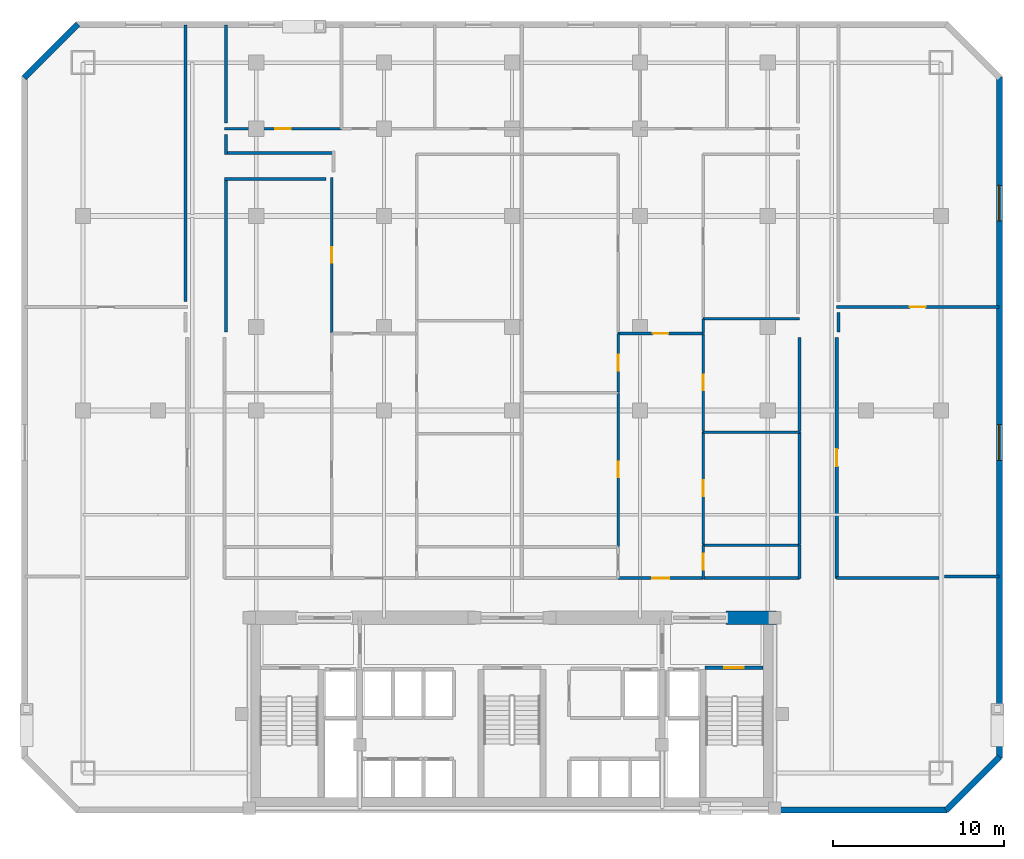
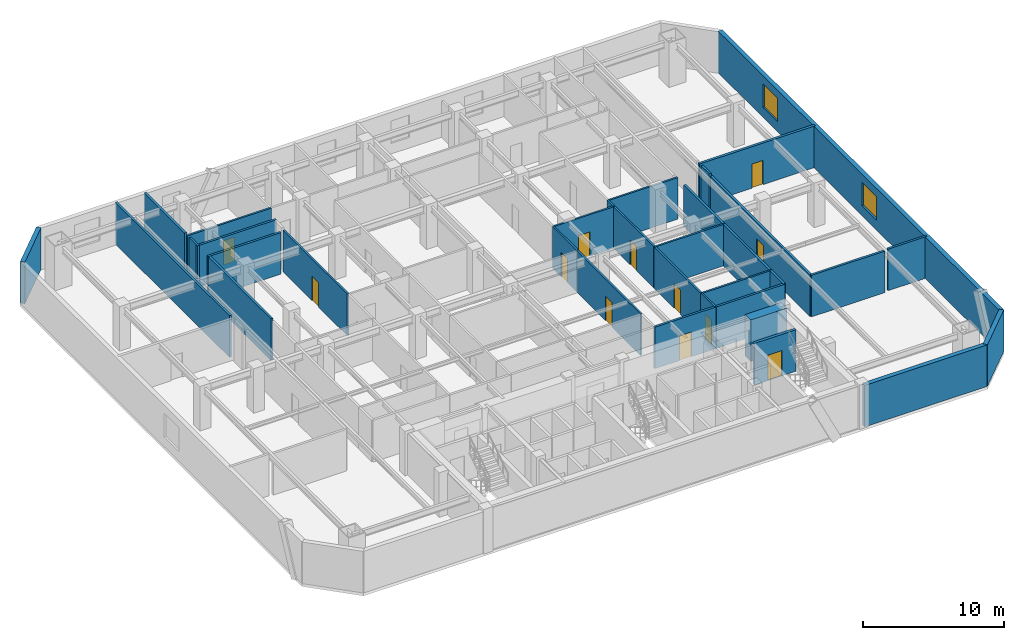
# One storey, part 5 of 8: 34 walls, 12 doors, 2 windows, 14 openings.
"""IFC4 building model written with IfcOpenShell, lengths in metres."""

from ifc_helpers import new_model, si_unit, direction, frame, frame_2d, origin, place, context, subcontext, project, spatial, rectangle, extrude, material, layer, layer_set, type_object, element, fill, save


model = new_model("IFC4")

# Units and contexts
model_context = context("Model", 3, precision=1e-05, world=origin(), true_north=direction((0.0, 1.0)))
body_context = subcontext(model_context, "Body", "Model", "MODEL_VIEW")
ifc_project = project(units=[si_unit("LENGTHUNIT", "METRE"), si_unit("AREAUNIT", "SQUARE_METRE"), si_unit("VOLUMEUNIT", "CUBIC_METRE"), si_unit("PLANEANGLEUNIT", "RADIAN"), si_unit("MASSUNIT", "GRAM", prefix="KILO")], contexts=[model_context])

# Site, building, storey
site_placement = place(None, origin())
site = spatial("IfcSite", under=ifc_project, at=site_placement, CompositionType="ELEMENT")
building_placement = place(site_placement, origin())
building = spatial("IfcBuilding", under=site, at=building_placement, Name="Ventersveld Concourse Tower", CompositionType="ELEMENT")
storey_placement = place(building_placement, frame((0.0, 0.0, 33.64990234375)))
storey = spatial("IfcBuildingStorey", under=building, at=storey_placement, Name="L07", CompositionType="ELEMENT", Elevation=33.64990234375)

# Wall
ifc_material_1 = material(Name="Concrete C60/75", Category="concrete")
ifc_layer_1 = layer(ifc_material_1, 0.800048828125)
ifc_layer_set_1 = layer_set([ifc_layer_1], Name="Concrete C60/75")
wall_type_1 = type_object("IfcWallType", Name="WL-CORE-800", PredefinedType="SHEAR", material=ifc_layer_set_1)
wall_1_placement = place(storey_placement, frame((41.300048828125, 11.449951171875, 0.0), z_axis=(0.0, 0.0, 1.0), x_axis=(1.0, 0.0, 0.0)))
element("IfcWall", 1, at=wall_1_placement, inside=storey, type_object=wall_type_1, Name="L07 Rear Core North Shear Wall NE", PredefinedType="SHEAR", context=body_context, shape_type="SweptSolid", body=[
    extrude(rectangle(XDim=2.949951171875, YDim=0.800048828125, at=frame_2d((1.47509765625, 0.0))), origin(), (0.0, 0.0, 1.0), 3.60009765625),
])

# Wall, opening, door
ifc_material_2 = material(Name="Fire-rated autoclaved aerated masonry blockwork", Category="masonry")
ifc_layer_2 = layer(ifc_material_2, 0.179931640625)
ifc_layer_set_2 = layer_set([ifc_layer_2], Name="Fire-rated autoclaved aerated masonry blockwork")
wall_type_2 = type_object("IfcWallType", Name="WL-CORR-180", PredefinedType="PARTITIONING", material=ifc_layer_set_2)
wall_2_placement = place(storey_placement, frame((47.7900390625, 13.764892578125, 0.0), z_axis=(0.0, 0.0, 1.0), x_axis=(0.0, 1.0, 0.0)))
wall_2 = element("IfcWall", 2, at=wall_2_placement, inside=storey, type_object=wall_type_2, Name="L07 Interior Partition SP-L07-COR-SP-L07-NELNG1", PredefinedType="PARTITIONING", context=body_context, shape_type="SweptSolid", body=[
    extrude(rectangle(XDim=14.130126953125, YDim=0.179931640625, at=frame_2d((7.06494140625, 0.0))), origin(), (0.0, 0.0, 1.0), 3.60009765625),
])
opening_1_placement = place(wall_2_placement, frame((6.56494140625, 0.0, 0.0)))
opening_1 = element("IfcOpeningElement", 3, at=opening_1_placement, cuts=wall_2, Name="Opening FD3", PredefinedType="OPENING", context=body_context, shape_type="SweptSolid", body=[
    extrude(rectangle(XDim=1.0, YDim=2.14990234375, at=frame_2d((0.5, 1.074951171875))), frame((0.0, 0.10009765625, 0.0), z_axis=(0.0, -1.0, 0.0), x_axis=(1.0, 0.0, 0.0)), (0.0, 0.0, 1.0), 0.199951171875),
])
ifc_material_3 = material(Name="Solid-core hardwood veneer timber", Category="wood")
door_type_1 = type_object("IfcDoorType", Name="DR-FLAT-100", OperationType="NOTDEFINED", PredefinedType="DOOR", material=ifc_material_3)
door_1_placement = place(opening_1_placement, origin())
door_1 = element("IfcDoor", 4, at=door_1_placement, inside=storey, type_object=door_type_1, Name="L07 Interior Door SP-L07-COR to SP-L07-NELNG1 (D-L07-0227)", OperationType="SINGLE_SWING_LEFT", OverallHeight=2.14990234375, OverallWidth=1.0, PredefinedType="DOOR", context=body_context, shape_type="SweptSolid", body=[
    extrude(rectangle(XDim=1.0, YDim=2.14990234375, at=frame_2d((0.5, 1.074951171875))), frame((0.0, 0.02490234375, 0.0), z_axis=(0.0, -1.0, 0.0), x_axis=(1.0, 0.0, 0.0)), (0.0, 0.0, 1.0), 0.050048828125),
])
fill(opening_1, door_1)

# Wall
wall_3_placement = place(storey_placement, frame((47.784912109375, 13.77001953125, 0.0), z_axis=(0.0, 0.0, 1.0), x_axis=(1.0, 0.0, 0.0)))
element("IfcWall", 5, at=wall_3_placement, inside=storey, type_object=wall_type_2, Name="L07 Interior Partition SP-L07-COR-SP-L07-NELNG1", PredefinedType="PARTITIONING", context=body_context, shape_type="SweptSolid", body=[
    extrude(rectangle(XDim=6.010009765625, YDim=0.179931640625, at=frame_2d((3.0048828125, 0.0))), origin(), (0.0, 0.0, 1.0), 3.60009765625),
])

# Wall, opening, door
wall_4_placement = place(storey_placement, frame((34.967041015625, 13.77001953125, 0.0), z_axis=(0.0, 0.0, 1.0), x_axis=(1.0, 0.0, 0.0)))
wall_4 = element("IfcWall", 6, at=wall_4_placement, inside=storey, type_object=wall_type_2, Name="L07 Interior Partition SP-L07-COR-SP-L07-07N2-FOY", PredefinedType="PARTITIONING", context=body_context, shape_type="SweptSolid", body=[
    extrude(rectangle(XDim=4.989990234375, YDim=0.179931640625, at=frame_2d((2.4951171875, 0.0))), origin(), (0.0, 0.0, 1.0), 3.60009765625),
])
opening_2_placement = place(wall_4_placement, frame((1.9951171875, 0.0, 0.0)))
opening_2 = element("IfcOpeningElement", 7, at=opening_2_placement, cuts=wall_4, Name="Opening FD3", PredefinedType="OPENING", context=body_context, shape_type="SweptSolid", body=[
    extrude(rectangle(XDim=1.0, YDim=2.14990234375, at=frame_2d((0.5, 1.074951171875))), frame((0.0, 0.10009765625, 0.0), z_axis=(0.0, -1.0, 0.0), x_axis=(1.0, 0.0, 0.0)), (0.0, 0.0, 1.0), 0.199951171875),
])
door_2_placement = place(opening_2_placement, origin())
door_2 = element("IfcDoor", 8, at=door_2_placement, inside=storey, type_object=door_type_1, Name="L07 Interior Door SP-L07-COR to SP-L07-07N2-FOY (FD-L07-0229)", OperationType="SINGLE_SWING_LEFT", OverallHeight=2.14990234375, OverallWidth=1.0, PredefinedType="DOOR", context=body_context, shape_type="SweptSolid", body=[
    extrude(rectangle(XDim=1.0, YDim=2.14990234375, at=frame_2d((0.5, 1.074951171875))), frame((0.0, 0.02490234375, 0.0), z_axis=(0.0, -1.0, 0.0), x_axis=(1.0, 0.0, 0.0)), (0.0, 0.0, 1.0), 0.050048828125),
])
fill(opening_2, door_2)

# Walls
wall_5_placement = place(storey_placement, frame((39.987060546875, 13.77001953125, 0.0), z_axis=(0.0, 0.0, 1.0), x_axis=(1.0, 0.0, 0.0)))
element("IfcWall", 9, at=wall_5_placement, inside=storey, type_object=wall_type_2, Name="L07 Interior Partition SP-L07-COR-SP-L07-07N2-KIT", PredefinedType="PARTITIONING", context=body_context, shape_type="SweptSolid", body=[
    extrude(rectangle(XDim=5.6279296875, YDim=0.179931640625, at=frame_2d((2.81396484375, 0.0))), origin(), (0.0, 0.0, 1.0), 3.60009765625),
])
wall_6_placement = place(storey_placement, frame((45.610107421875, 13.764892578125, 0.0), z_axis=(0.0, 0.0, 1.0), x_axis=(0.0, 1.0, 0.0)))
element("IfcWall", 10, at=wall_6_placement, inside=storey, type_object=wall_type_2, Name="L07 Interior Partition SP-L07-COR-SP-L07-07N2-KIT", PredefinedType="PARTITIONING", context=body_context, shape_type="SweptSolid", body=[
    extrude(rectangle(XDim=1.942626953125, YDim=0.179931640625, at=frame_2d((0.97119140625, 0.0))), origin(), (0.0, 0.0, 1.0), 3.60009765625),
])
wall_7_placement = place(storey_placement, frame((45.610107421875, 15.737548828125, 0.0), z_axis=(0.0, 0.0, 1.0), x_axis=(0.0, 1.0, 0.0)))
element("IfcWall", 11, at=wall_7_placement, inside=storey, type_object=wall_type_2, Name="L07 Interior Partition SP-L07-COR-SP-L07-07N2-DENR", PredefinedType="PARTITIONING", context=body_context, shape_type="SweptSolid", body=[
    extrude(rectangle(XDim=6.602783203125, YDim=0.179931640625, at=frame_2d((3.30126953125, 0.0))), origin(), (0.0, 0.0, 1.0), 3.60009765625),
])
wall_8_placement = place(storey_placement, frame((45.610107421875, 22.370361328125, 0.0), z_axis=(0.0, 0.0, 1.0), x_axis=(0.0, 1.0, 0.0)))
element("IfcWall", 12, at=wall_8_placement, inside=storey, type_object=wall_type_2, Name="L07 Interior Partition SP-L07-COR-SP-L07-07N2-DENS", PredefinedType="PARTITIONING", context=body_context, shape_type="SweptSolid", body=[
    extrude(rectangle(XDim=5.524658203125, YDim=0.179931640625, at=frame_2d((2.76220703125, 0.0))), origin(), (0.0, 0.0, 1.0), 3.60009765625),
])
wall_9_placement = place(storey_placement, frame((9.6201171875, 46.18994140625, 0.0), z_axis=(0.0, 0.0, 1.0), x_axis=(0.0, -1.0, 0.0)))
element("IfcWall", 13, at=wall_9_placement, inside=storey, type_object=wall_type_2, Name="L07 Room Enclosure Wall SP-L07-NWLNG2", PredefinedType="PARTITIONING", context=body_context, shape_type="SweptSolid", body=[
    extrude(rectangle(XDim=16.19482421875, YDim=0.179931640625, at=frame_2d((8.097412109375, 0.0))), origin(), (0.0, 0.0, 1.0), 3.60009765625),
])
wall_10_placement = place(storey_placement, frame((47.8798828125, 28.2099609375, 0.0), z_axis=(0.0, 0.0, 1.0), x_axis=(0.0, 1.0, 0.0)))
element("IfcWall", 14, at=wall_10_placement, inside=storey, type_object=wall_type_2, Name="L07 Room Enclosure Wall SP-L07-NELNG1", PredefinedType="PARTITIONING", context=body_context, shape_type="SweptSolid", body=[
    extrude(rectangle(XDim=1.135009765625, YDim=0.179931640625, at=frame_2d((0.5673828125, 0.0))), origin(), (0.0, 0.0, 1.0), 3.60009765625),
])
wall_11_placement = place(storey_placement, frame((57.2900390625, 13.860107421875, 0.0), z_axis=(0.0, 0.0, 1.0), x_axis=(-1.0, 0.0, 0.0)))
element("IfcWall", 15, at=wall_11_placement, inside=storey, type_object=wall_type_2, Name="L07 Room Enclosure Wall SP-L07-NELNG1", PredefinedType="PARTITIONING", context=body_context, shape_type="SweptSolid", body=[
    extrude(rectangle(XDim=3.18017578125, YDim=0.179931640625, at=frame_2d((1.590087890625, 0.0))), origin(), (0.0, 0.0, 1.0), 3.60009765625),
])
wall_12_placement = place(storey_placement, frame((18.368896484375, 38.7099609375, 0.0), z_axis=(0.0, 0.0, 1.0), x_axis=(-1.0, 0.0, 0.0)))
element("IfcWall", 16, at=wall_12_placement, inside=storey, type_object=wall_type_2, Name="L07 Room Enclosure Wall SP-L07-07N1-LIV", PredefinedType="PARTITIONING", context=body_context, shape_type="SweptSolid", body=[
    extrude(rectangle(XDim=6.48388671875, YDim=0.179931640625, at=frame_2d((3.241943359375, 0.0))), origin(), (0.0, 0.0, 1.0), 3.60009765625),
])
wall_13_placement = place(storey_placement, frame((11.97998046875, 38.614990234375, 0.0), z_axis=(0.0, 0.0, 1.0), x_axis=(0.0, 1.0, 0.0)))
element("IfcWall", 17, at=wall_13_placement, inside=storey, type_object=wall_type_2, Name="L07 Room Enclosure Wall SP-L07-07N1-LIV", PredefinedType="PARTITIONING", context=body_context, shape_type="SweptSolid", body=[
    extrude(rectangle(XDim=1.179931640625, YDim=0.179931640625, at=frame_2d((0.58984375, 0.0))), origin(), (0.0, 0.0, 1.0), 3.60009765625),
])
wall_14_placement = place(storey_placement, frame((11.885009765625, 37.1708984375, 0.0), z_axis=(0.0, 0.0, 1.0), x_axis=(1.0, 0.0, 0.0)))
element("IfcWall", 18, at=wall_14_placement, inside=storey, type_object=wall_type_2, Name="L07 Room Enclosure Wall SP-L07-07N1-DENL2", PredefinedType="PARTITIONING", context=body_context, shape_type="SweptSolid", body=[
    extrude(rectangle(XDim=5.973876953125, YDim=0.179931640625, at=frame_2d((2.98681640625, 0.0))), origin(), (0.0, 0.0, 1.0), 3.60009765625),
])
wall_15_placement = place(storey_placement, frame((11.97998046875, 28.2099609375, 0.0), z_axis=(0.0, 0.0, 1.0), x_axis=(0.0, 1.0, 0.0)))
element("IfcWall", 19, at=wall_15_placement, inside=storey, type_object=wall_type_2, Name="L07 Room Enclosure Wall SP-L07-07N1-DENL2", PredefinedType="PARTITIONING", context=body_context, shape_type="SweptSolid", body=[
    extrude(rectangle(XDim=9.055908203125, YDim=0.179931640625, at=frame_2d((4.52783203125, 0.0))), origin(), (0.0, 0.0, 1.0), 3.60009765625),
])
wall_16_placement = place(storey_placement, frame((11.97998046875, 40.445068359375, 0.0), z_axis=(0.0, 0.0, 1.0), x_axis=(0.0, 1.0, 0.0)))
element("IfcWall", 20, at=wall_16_placement, inside=storey, type_object=wall_type_2, Name="L07 Room Enclosure Wall SP-L07-07N1-BR1", PredefinedType="PARTITIONING", context=body_context, shape_type="SweptSolid", body=[
    extrude(rectangle(XDim=5.744873046875, YDim=0.179931640625, at=frame_2d((2.87255859375, 0.0))), origin(), (0.0, 0.0, 1.0), 3.60009765625),
])

# Wall, opening, door
ifc_layer_3 = layer(ifc_material_2, 0.199951171875)
ifc_layer_set_3 = layer_set([ifc_layer_3], Name="Fire-rated autoclaved aerated masonry blockwork")
wall_type_3 = type_object("IfcWallType", Name="WL-DEMISE-200", PredefinedType="PARTITIONING", material=ifc_layer_set_3)
wall_17_placement = place(storey_placement, frame((47.784912109375, 29.669921875, 0.0), z_axis=(0.0, 0.0, 1.0), x_axis=(1.0, 0.0, 0.0)))
wall_17 = element("IfcWall", 21, at=wall_17_placement, inside=storey, type_object=wall_type_3, Name="L07 Interior Partition SP-L07-NELNG1-SP-L07-NELNG2", PredefinedType="PARTITIONING", context=body_context, shape_type="SweptSolid", body=[
    extrude(rectangle(XDim=9.505126953125, YDim=0.199951171875, at=frame_2d((4.75244140625, 0.0))), origin(), (0.0, 0.0, 1.0), 3.60009765625),
])
opening_3_placement = place(wall_17_placement, frame((4.29248046875, 0.0, 0.0)))
opening_3 = element("IfcOpeningElement", 22, at=opening_3_placement, cuts=wall_17, Name="Opening ID1", PredefinedType="OPENING", context=body_context, shape_type="SweptSolid", body=[
    extrude(rectangle(XDim=0.919921875, YDim=2.10009765625, at=frame_2d((0.4599609375, 1.050048828125))), frame((0.0, 0.10986328125, 0.0), z_axis=(0.0, -1.0, 0.0), x_axis=(1.0, 0.0, 0.0)), (0.0, 0.0, 1.0), 0.219970703125),
])
door_type_2 = type_object("IfcDoorType", Name="DR-ROOM-092", OperationType="NOTDEFINED", PredefinedType="DOOR", material=ifc_material_3)
door_3_placement = place(opening_3_placement, origin())
door_3 = element("IfcDoor", 23, at=door_3_placement, inside=storey, type_object=door_type_2, Name="L07 Interior Door SP-L07-NELNG1 to SP-L07-NELNG2 (D-L07-0231)", OperationType="SINGLE_SWING_LEFT", OverallHeight=2.10009765625, OverallWidth=0.919921875, PredefinedType="DOOR", context=body_context, shape_type="SweptSolid", body=[
    extrude(rectangle(XDim=0.919921875, YDim=2.10009765625, at=frame_2d((0.4599609375, 1.050048828125))), frame((0.0, 0.02490234375, 0.0), z_axis=(0.0, -1.0, 0.0), x_axis=(1.0, 0.0, 0.0)), (0.0, 0.0, 1.0), 0.050048828125),
])
fill(opening_3, door_3)

ifc_layer_4 = layer(ifc_material_2, 0.219970703125)
ifc_layer_set_4 = layer_set([ifc_layer_4], Name="Fire-rated autoclaved aerated masonry blockwork")
wall_type_4 = type_object("IfcWallType", Name="WL-HOIST-220", PredefinedType="SOLIDWALL", material=ifc_layer_set_4)
wall_18_placement = place(storey_placement, frame((40.06005859375, 8.52001953125, 0.0), z_axis=(0.0, 0.0, 1.0), x_axis=(1.0, 0.0, 0.0)))
wall_18 = element("IfcWall", 24, at=wall_18_placement, inside=storey, type_object=wall_type_4, Name="L07 Escape Stair ST02 Fire Wall", PredefinedType="SOLIDWALL", context=body_context, shape_type="SweptSolid", body=[
    extrude(rectangle(XDim=3.39990234375, YDim=0.219970703125, at=frame_2d((1.699951171875, 0.0))), origin(), (0.0, 0.0, 1.0), 3.60009765625),
])
opening_4_placement = place(wall_18_placement, frame((1.125, 0.0, 0.0)))
opening_4 = element("IfcOpeningElement", 25, at=opening_4_placement, cuts=wall_18, Name="Opening FD1", PredefinedType="OPENING", context=body_context, shape_type="SweptSolid", body=[
    extrude(rectangle(XDim=1.14990234375, YDim=2.199951171875, at=frame_2d((0.574951171875, 1.10009765625))), frame((0.0, 0.1201171875, 0.0), z_axis=(0.0, -1.0, 0.0), x_axis=(1.0, 0.0, 0.0)), (0.0, 0.0, 1.0), 0.239990234375),
])
ifc_material_4 = material(Name="Galvanised painted steel", Category="steel")
door_type_3 = type_object("IfcDoorType", Name="DR-STAIR-115", OperationType="NOTDEFINED", PredefinedType="DOOR", material=ifc_material_4)
door_4_placement = place(opening_4_placement, origin())
door_4 = element("IfcDoor", 26, at=door_4_placement, inside=storey, type_object=door_type_3, Name="L07 Escape Stair Door ST02 (SD-L07-0218)", OperationType="SINGLE_SWING_RIGHT", OverallHeight=2.199951171875, OverallWidth=1.14990234375, PredefinedType="DOOR", context=body_context, shape_type="SweptSolid", body=[
    extrude(rectangle(XDim=1.14990234375, YDim=2.199951171875, at=frame_2d((0.574951171875, 1.10009765625))), frame((0.0, 0.02490234375, 0.0), z_axis=(0.0, -1.0, 0.0), x_axis=(1.0, 0.0, 0.0)), (0.0, 0.0, 1.0), 0.050048828125),
])
fill(opening_4, door_4)

ifc_material_5 = material(Name="Autoclaved aerated masonry blockwork", Category="masonry")
ifc_layer_5 = layer(ifc_material_5, 0.14990234375)
ifc_layer_set_5 = layer_set([ifc_layer_5], Name="Autoclaved aerated masonry blockwork")
wall_type_5 = type_object("IfcWallType", Name="WL-INT-150", PredefinedType="PARTITIONING", material=ifc_layer_set_5)
wall_19_placement = place(storey_placement, frame((18.183837890625, 28.151611328125, 0.0), z_axis=(0.0, 0.0, 1.0), x_axis=(0.0, 1.0, 0.0)))
wall_19 = element("IfcWall", 27, at=wall_19_placement, inside=storey, type_object=wall_type_5, Name="L07 Interior Partition SP-L07-07N1-LIV-SP-L07-07N1-DENL2", PredefinedType="PARTITIONING", context=body_context, shape_type="SweptSolid", body=[
    extrude(rectangle(XDim=9.1142578125, YDim=0.14990234375, at=frame_2d((4.55712890625, 0.0))), origin(), (0.0, 0.0, 1.0), 3.60009765625),
])
opening_5_placement = place(wall_19_placement, frame((4.096923828125, 0.0, 0.0)))
opening_5 = element("IfcOpeningElement", 28, at=opening_5_placement, cuts=wall_19, Name="Opening ID1", PredefinedType="OPENING", context=body_context, shape_type="SweptSolid", body=[
    extrude(rectangle(XDim=0.919921875, YDim=2.10009765625, at=frame_2d((0.4599609375, 1.050048828125))), frame((0.0, 0.0849609375, 0.0), z_axis=(0.0, -1.0, 0.0), x_axis=(1.0, 0.0, 0.0)), (0.0, 0.0, 1.0), 0.169921875),
])
door_5_placement = place(opening_5_placement, origin())
door_5 = element("IfcDoor", 29, at=door_5_placement, inside=storey, type_object=door_type_2, Name="L07 Interior Door SP-L07-07N1-LIV to SP-L07-07N1-DENL2 (D-L07-0239)", OperationType="SINGLE_SWING_LEFT", OverallHeight=2.10009765625, OverallWidth=0.919921875, PredefinedType="DOOR", context=body_context, shape_type="SweptSolid", body=[
    extrude(rectangle(XDim=0.919921875, YDim=2.10009765625, at=frame_2d((0.4599609375, 1.050048828125))), frame((0.0, 0.02490234375, 0.0), z_axis=(0.0, -1.0, 0.0), x_axis=(1.0, 0.0, 0.0)), (0.0, 0.0, 1.0), 0.050048828125),
])
fill(opening_5, door_5)

wall_20_placement = place(storey_placement, frame((11.885009765625, 40.1201171875, 0.0), z_axis=(0.0, 0.0, 1.0), x_axis=(1.0, 0.0, 0.0)))
wall_20 = element("IfcWall", 30, at=wall_20_placement, inside=storey, type_object=wall_type_5, Name="L07 Interior Partition SP-L07-07N1-LIV-SP-L07-07N1-BR1", PredefinedType="PARTITIONING", context=body_context, shape_type="SweptSolid", body=[
    extrude(rectangle(XDim=6.873291015625, YDim=0.14990234375, at=frame_2d((3.4365234375, 0.0))), origin(), (0.0, 0.0, 1.0), 3.60009765625),
])
opening_6_placement = place(wall_20_placement, frame((2.9765625, 0.0, 0.0)))
opening_6 = element("IfcOpeningElement", 31, at=opening_6_placement, cuts=wall_20, Name="Opening ID1", PredefinedType="OPENING", context=body_context, shape_type="SweptSolid", body=[
    extrude(rectangle(XDim=0.919921875, YDim=2.10009765625, at=frame_2d((0.4599609375, 1.050048828125))), frame((0.0, 0.0849609375, 0.0), z_axis=(0.0, -1.0, 0.0), x_axis=(1.0, 0.0, 0.0)), (0.0, 0.0, 1.0), 0.169921875),
])
door_6_placement = place(opening_6_placement, origin())
door_6 = element("IfcDoor", 32, at=door_6_placement, inside=storey, type_object=door_type_2, Name="L07 Interior Door SP-L07-07N1-LIV to SP-L07-07N1-BR1 (D-L07-0241)", OperationType="SINGLE_SWING_LEFT", OverallHeight=2.10009765625, OverallWidth=0.919921875, PredefinedType="DOOR", context=body_context, shape_type="SweptSolid", body=[
    extrude(rectangle(XDim=0.919921875, YDim=2.10009765625, at=frame_2d((0.4599609375, 1.050048828125))), frame((0.0, 0.02490234375, 0.0), z_axis=(0.0, -1.0, 0.0), x_axis=(1.0, 0.0, 0.0)), (0.0, 0.0, 1.0), 0.050048828125),
])
fill(opening_6, door_6)

wall_21_placement = place(storey_placement, frame((34.967041015625, 28.11669921875, 0.0), z_axis=(0.0, 0.0, 1.0), x_axis=(1.0, 0.0, 0.0)))
wall_21 = element("IfcWall", 33, at=wall_21_placement, inside=storey, type_object=wall_type_5, Name="L07 Interior Partition SP-L07-07N2-FOY-SP-L07-07N2-LIV", PredefinedType="PARTITIONING", context=body_context, shape_type="SweptSolid", body=[
    extrude(rectangle(XDim=4.989990234375, YDim=0.14990234375, at=frame_2d((2.4951171875, 0.0))), origin(), (0.0, 0.0, 1.0), 3.60009765625),
])
opening_7_placement = place(wall_21_placement, frame((2.034912109375, 0.0, 0.0)))
opening_7 = element("IfcOpeningElement", 34, at=opening_7_placement, cuts=wall_21, Name="Opening ID1", PredefinedType="OPENING", context=body_context, shape_type="SweptSolid", body=[
    extrude(rectangle(XDim=0.919921875, YDim=2.10009765625, at=frame_2d((0.4599609375, 1.050048828125))), frame((0.0, 0.0849609375, 0.0), z_axis=(0.0, -1.0, 0.0), x_axis=(1.0, 0.0, 0.0)), (0.0, 0.0, 1.0), 0.169921875),
])
door_7_placement = place(opening_7_placement, origin())
door_7 = element("IfcDoor", 35, at=door_7_placement, inside=storey, type_object=door_type_2, Name="L07 Interior Door SP-L07-07N2-FOY to SP-L07-07N2-LIV (D-L07-0244)", OperationType="SINGLE_SWING_RIGHT", OverallHeight=2.10009765625, OverallWidth=0.919921875, PredefinedType="DOOR", context=body_context, shape_type="SweptSolid", body=[
    extrude(rectangle(XDim=0.919921875, YDim=2.10009765625, at=frame_2d((0.4599609375, 1.050048828125))), frame((0.0, 0.02490234375, 0.0), z_axis=(0.0, -1.0, 0.0), x_axis=(1.0, 0.0, 0.0)), (0.0, 0.0, 1.0), 0.050048828125),
])
fill(opening_7, door_7)

wall_22_placement = place(storey_placement, frame((34.97216796875, 15.635009765625, 0.0), z_axis=(0.0, 0.0, 1.0), x_axis=(0.0, 1.0, 0.0)))
wall_22 = element("IfcWall", 36, at=wall_22_placement, inside=storey, type_object=wall_type_5, Name="L07 Interior Partition SP-L07-07N2-FOY-SP-L07-07N2-DENL", PredefinedType="PARTITIONING", context=body_context, shape_type="SweptSolid", body=[
    extrude(rectangle(XDim=9.019775390625, YDim=0.14990234375, at=frame_2d((4.509765625, 0.0))), origin(), (0.0, 0.0, 1.0), 3.60009765625),
])
opening_8_placement = place(wall_22_placement, frame((4.050048828125, 0.0, 0.0)))
opening_8 = element("IfcOpeningElement", 37, at=opening_8_placement, cuts=wall_22, Name="Opening ID1", PredefinedType="OPENING", context=body_context, shape_type="SweptSolid", body=[
    extrude(rectangle(XDim=0.919921875, YDim=2.10009765625, at=frame_2d((0.4599609375, 1.050048828125))), frame((0.0, 0.0849609375, 0.0), z_axis=(0.0, -1.0, 0.0), x_axis=(1.0, 0.0, 0.0)), (0.0, 0.0, 1.0), 0.169921875),
])
door_8_placement = place(opening_8_placement, origin())
door_8 = element("IfcDoor", 38, at=door_8_placement, inside=storey, type_object=door_type_2, Name="L07 Interior Door SP-L07-07N2-FOY to SP-L07-07N2-DENL (D-L07-0246)", OperationType="SINGLE_SWING_RIGHT", OverallHeight=2.10009765625, OverallWidth=0.919921875, PredefinedType="DOOR", context=body_context, shape_type="SweptSolid", body=[
    extrude(rectangle(XDim=0.919921875, YDim=2.10009765625, at=frame_2d((0.4599609375, 1.050048828125))), frame((0.0, 0.02490234375, 0.0), z_axis=(0.0, -1.0, 0.0), x_axis=(1.0, 0.0, 0.0)), (0.0, 0.0, 1.0), 0.050048828125),
])
fill(opening_8, door_8)

wall_23_placement = place(storey_placement, frame((34.97216796875, 24.684814453125, 0.0), z_axis=(0.0, 0.0, 1.0), x_axis=(0.0, 1.0, 0.0)))
wall_23 = element("IfcWall", 39, at=wall_23_placement, inside=storey, type_object=wall_type_5, Name="L07 Interior Partition SP-L07-07N2-FOY-SP-L07-07N2-DENL2", PredefinedType="PARTITIONING", context=body_context, shape_type="SweptSolid", body=[
    extrude(rectangle(XDim=3.436767578125, YDim=0.14990234375, at=frame_2d((1.71826171875, 0.0))), origin(), (0.0, 0.0, 1.0), 3.60009765625),
])
opening_9_placement = place(wall_23_placement, frame((1.25830078125, 0.0, 0.0)))
opening_9 = element("IfcOpeningElement", 40, at=opening_9_placement, cuts=wall_23, Name="Opening ID1", PredefinedType="OPENING", context=body_context, shape_type="SweptSolid", body=[
    extrude(rectangle(XDim=0.919921875, YDim=2.10009765625, at=frame_2d((0.4599609375, 1.050048828125))), frame((0.0, 0.0849609375, 0.0), z_axis=(0.0, -1.0, 0.0), x_axis=(1.0, 0.0, 0.0)), (0.0, 0.0, 1.0), 0.169921875),
])
door_9_placement = place(opening_9_placement, origin())
door_9 = element("IfcDoor", 41, at=door_9_placement, inside=storey, type_object=door_type_2, Name="L07 Interior Door SP-L07-07N2-FOY to SP-L07-07N2-DENL2 (D-L07-0247)", OperationType="SINGLE_SWING_LEFT", OverallHeight=2.10009765625, OverallWidth=0.919921875, PredefinedType="DOOR", context=body_context, shape_type="SweptSolid", body=[
    extrude(rectangle(XDim=0.919921875, YDim=2.10009765625, at=frame_2d((0.4599609375, 1.050048828125))), frame((0.0, 0.02490234375, 0.0), z_axis=(0.0, -1.0, 0.0), x_axis=(1.0, 0.0, 0.0)), (0.0, 0.0, 1.0), 0.050048828125),
])
fill(opening_9, door_9)

wall_24_placement = place(storey_placement, frame((39.9521484375, 13.764892578125, 0.0), z_axis=(0.0, 0.0, 1.0), x_axis=(0.0, 1.0, 0.0)))
wall_24 = element("IfcWall", 42, at=wall_24_placement, inside=storey, type_object=wall_type_5, Name="L07 Interior Partition SP-L07-07N2-FOY-SP-L07-07N2-KIT", PredefinedType="PARTITIONING", context=body_context, shape_type="SweptSolid", body=[
    extrude(rectangle(XDim=1.942626953125, YDim=0.14990234375, at=frame_2d((0.97119140625, 0.0))), origin(), (0.0, 0.0, 1.0), 3.60009765625),
])
opening_10_placement = place(wall_24_placement, frame((0.51123046875, 0.0, 0.0)))
opening_10 = element("IfcOpeningElement", 43, at=opening_10_placement, cuts=wall_24, Name="Opening ID1", PredefinedType="OPENING", context=body_context, shape_type="SweptSolid", body=[
    extrude(rectangle(XDim=0.919921875, YDim=2.10009765625, at=frame_2d((0.4599609375, 1.050048828125))), frame((0.0, 0.0849609375, 0.0), z_axis=(0.0, -1.0, 0.0), x_axis=(1.0, 0.0, 0.0)), (0.0, 0.0, 1.0), 0.169921875),
])
door_10_placement = place(opening_10_placement, origin())
door_10 = element("IfcDoor", 44, at=door_10_placement, inside=storey, type_object=door_type_2, Name="L07 Interior Door SP-L07-07N2-FOY to SP-L07-07N2-KIT (D-L07-0248)", OperationType="SINGLE_SWING_RIGHT", OverallHeight=2.10009765625, OverallWidth=0.919921875, PredefinedType="DOOR", context=body_context, shape_type="SweptSolid", body=[
    extrude(rectangle(XDim=0.919921875, YDim=2.10009765625, at=frame_2d((0.4599609375, 1.050048828125))), frame((0.0, 0.02490234375, 0.0), z_axis=(0.0, -1.0, 0.0), x_axis=(1.0, 0.0, 0.0)), (0.0, 0.0, 1.0), 0.050048828125),
])
fill(opening_10, door_10)

wall_25_placement = place(storey_placement, frame((39.9521484375, 15.737548828125, 0.0), z_axis=(0.0, 0.0, 1.0), x_axis=(0.0, 1.0, 0.0)))
wall_25 = element("IfcWall", 45, at=wall_25_placement, inside=storey, type_object=wall_type_5, Name="L07 Interior Partition SP-L07-07N2-FOY-SP-L07-07N2-DENR", PredefinedType="PARTITIONING", context=body_context, shape_type="SweptSolid", body=[
    extrude(rectangle(XDim=6.602783203125, YDim=0.14990234375, at=frame_2d((3.30126953125, 0.0))), origin(), (0.0, 0.0, 1.0), 3.60009765625),
])
opening_11_placement = place(wall_25_placement, frame((2.841552734375, 0.0, 0.0)))
opening_11 = element("IfcOpeningElement", 46, at=opening_11_placement, cuts=wall_25, Name="Opening ID1", PredefinedType="OPENING", context=body_context, shape_type="SweptSolid", body=[
    extrude(rectangle(XDim=0.919921875, YDim=2.10009765625, at=frame_2d((0.4599609375, 1.050048828125))), frame((0.0, 0.0849609375, 0.0), z_axis=(0.0, -1.0, 0.0), x_axis=(1.0, 0.0, 0.0)), (0.0, 0.0, 1.0), 0.169921875),
])
door_11_placement = place(opening_11_placement, origin())
door_11 = element("IfcDoor", 47, at=door_11_placement, inside=storey, type_object=door_type_2, Name="L07 Interior Door SP-L07-07N2-FOY to SP-L07-07N2-DENR (D-L07-0249)", OperationType="SINGLE_SWING_LEFT", OverallHeight=2.10009765625, OverallWidth=0.919921875, PredefinedType="DOOR", context=body_context, shape_type="SweptSolid", body=[
    extrude(rectangle(XDim=0.919921875, YDim=2.10009765625, at=frame_2d((0.4599609375, 1.050048828125))), frame((0.0, 0.02490234375, 0.0), z_axis=(0.0, -1.0, 0.0), x_axis=(1.0, 0.0, 0.0)), (0.0, 0.0, 1.0), 0.050048828125),
])
fill(opening_11, door_11)

wall_26_placement = place(storey_placement, frame((39.9521484375, 22.370361328125, 0.0), z_axis=(0.0, 0.0, 1.0), x_axis=(0.0, 1.0, 0.0)))
wall_26 = element("IfcWall", 48, at=wall_26_placement, inside=storey, type_object=wall_type_5, Name="L07 Interior Partition SP-L07-07N2-FOY-SP-L07-07N2-DENS", PredefinedType="PARTITIONING", context=body_context, shape_type="SweptSolid", body=[
    extrude(rectangle(XDim=5.751220703125, YDim=0.14990234375, at=frame_2d((2.87548828125, 0.0))), origin(), (0.0, 0.0, 1.0), 3.60009765625),
])
opening_12_placement = place(wall_26_placement, frame((2.415771484375, 0.0, 0.0)))
opening_12 = element("IfcOpeningElement", 49, at=opening_12_placement, cuts=wall_26, Name="Opening ID1", PredefinedType="OPENING", context=body_context, shape_type="SweptSolid", body=[
    extrude(rectangle(XDim=0.919921875, YDim=2.10009765625, at=frame_2d((0.4599609375, 1.050048828125))), frame((0.0, 0.0849609375, 0.0), z_axis=(0.0, -1.0, 0.0), x_axis=(1.0, 0.0, 0.0)), (0.0, 0.0, 1.0), 0.169921875),
])
door_12_placement = place(opening_12_placement, origin())
door_12 = element("IfcDoor", 50, at=door_12_placement, inside=storey, type_object=door_type_2, Name="L07 Interior Door SP-L07-07N2-FOY to SP-L07-07N2-DENS (D-L07-0250)", OperationType="SINGLE_SWING_RIGHT", OverallHeight=2.10009765625, OverallWidth=0.919921875, PredefinedType="DOOR", context=body_context, shape_type="SweptSolid", body=[
    extrude(rectangle(XDim=0.919921875, YDim=2.10009765625, at=frame_2d((0.4599609375, 1.050048828125))), frame((0.0, 0.02490234375, 0.0), z_axis=(0.0, -1.0, 0.0), x_axis=(1.0, 0.0, 0.0)), (0.0, 0.0, 1.0), 0.050048828125),
])
fill(opening_12, door_12)

# Walls
wall_27_placement = place(storey_placement, frame((39.9521484375, 28.151611328125, 0.0), z_axis=(0.0, 0.0, 1.0), x_axis=(0.0, 1.0, 0.0)))
element("IfcWall", 51, at=wall_27_placement, inside=storey, type_object=wall_type_5, Name="L07 Interior Partition SP-L07-07N2-LIV-SP-L07-07N2-DENS", PredefinedType="PARTITIONING", context=body_context, shape_type="SweptSolid", body=[
    extrude(rectangle(XDim=0.82177734375, YDim=0.14990234375, at=frame_2d((0.410888671875, 0.0))), origin(), (0.0, 0.0, 1.0), 3.60009765625),
])
for number, where, z_axis, x_axis, name in (
    (52, (39.947021484375, 15.702392578125, 0.0), (0.0, 0.0, 1.0), (1.0, 0.0, 0.0), "L07 Interior Partition SP-L07-07N2-KIT-SP-L07-07N2-DENR"),
    (53, (39.947021484375, 22.33544921875, 0.0), (0.0, 0.0, 1.0), (1.0, 0.0, 0.0), "L07 Interior Partition SP-L07-07N2-DENR-SP-L07-07N2-DENS"),
    (54, (39.947021484375, 28.96826171875, 0.0), (0.0, 0.0, 1.0), (1.0, 0.0, 0.0), "L07 Interior Partition SP-L07-07N2-DENS-SP-L07-07N2-DENS2"),
):
    element("IfcWall", number, at=place(storey_placement, frame(where, z_axis=z_axis, x_axis=x_axis)), inside=storey, type_object=wall_type_5, Name=name, PredefinedType="PARTITIONING", context=body_context, shape_type="SweptSolid", body=[
        extrude(rectangle(XDim=5.66796875, YDim=0.14990234375, at=frame_2d((2.833984375, 0.0))), origin(), (0.0, 0.0, 1.0), 3.60009765625),
    ])
ifc_material_6 = material(Name="Precast concrete C45/55", Category="concrete")
ifc_layer_6 = layer(ifc_material_6, 0.35009765625)
ifc_layer_set_6 = layer_set([ifc_layer_6], Name="Precast concrete C45/55")
wall_type_6 = type_object("IfcWallType", Name="WL-PREC-350", PredefinedType="SOLIDWALL", material=ifc_layer_set_6)
wall_28_placement = place(storey_placement, frame((44.25, 0.179931640625, 0.0), z_axis=(0.0, 0.0, 1.0), x_axis=(1.0, 0.0, 0.0)))
element("IfcWall", 55, at=wall_28_placement, inside=storey, type_object=wall_type_6, Name="L07 South-East Flank Precast Wall", PredefinedType="SOLIDWALL", context=body_context, shape_type="SweptSolid", body=[
    extrude(rectangle(XDim=10.010009765625, YDim=0.35009765625, at=frame_2d((5.0048828125, 0.0))), origin(), (0.0, 0.0, 1.0), 3.60009765625),
])
wall_29_placement = place(storey_placement, frame((54.20458984375, 0.152099609375, 0.0), z_axis=(0.0, 0.0, 1.0), x_axis=(0.707106781187, 0.707106781187, 0.0)))
element("IfcWall", 56, at=wall_29_placement, inside=storey, type_object=wall_type_6, Name="L07 Highveld Precast Facade Wall E02", PredefinedType="SOLIDWALL", context=body_context, shape_type="SweptSolid", body=[
    extrude(rectangle(XDim=4.4453125, YDim=0.35009765625, at=frame_2d((2.22265625, 0.0))), origin(), (0.0, 0.0, 1.0), 3.60009765625),
])

# Wall, openings, windows
wall_30_placement = place(storey_placement, frame((57.324951171875, 3.239990234375, 0.0), z_axis=(0.0, 0.0, 1.0), x_axis=(0.0, 1.0, 0.0)))
wall_30 = element("IfcWall", 57, at=wall_30_placement, inside=storey, type_object=wall_type_6, Name="L07 Highveld Precast Facade Wall E03", PredefinedType="SOLIDWALL", context=body_context, shape_type="SweptSolid", body=[
    extrude(rectangle(XDim=39.919921875, YDim=0.35009765625, at=frame_2d((19.9599609375, 0.0))), origin(), (0.0, 0.0, 1.0), 3.60009765625),
])
opening_13_placement = place(wall_30_placement, frame((17.429931640625, 0.0, 0.85009765625)))
opening_13 = element("IfcOpeningElement", 58, at=opening_13_placement, cuts=wall_30, Name="Opening W7", PredefinedType="OPENING", context=body_context, shape_type="SweptSolid", body=[
    extrude(rectangle(XDim=2.10009765625, YDim=2.050048828125, at=frame_2d((1.050048828125, 1.02490234375))), frame((0.0, 0.18505859375, 0.0), z_axis=(0.0, -1.0, 0.0), x_axis=(1.0, 0.0, 0.0)), (0.0, 0.0, 1.0), 0.3701171875),
])
opening_14_placement = place(wall_30_placement, frame((31.45751953125, 0.0, 0.85009765625)))
opening_14 = element("IfcOpeningElement", 59, at=opening_14_placement, cuts=wall_30, Name="Opening W7", PredefinedType="OPENING", context=body_context, shape_type="SweptSolid", body=[
    extrude(rectangle(XDim=2.10009765625, YDim=2.050048828125, at=frame_2d((1.050048828125, 1.02490234375))), frame((0.0, 0.18505859375, 0.0), z_axis=(0.0, -1.0, 0.0), x_axis=(1.0, 0.0, 0.0)), (0.0, 0.0, 1.0), 0.3701171875),
])
ifc_material_7 = material(Name="Tempered acoustic Low-E IGU", Category="glass")
window_type = type_object("IfcWindowType", Name="WIN-210x205", PartitioningType="SINGLE_PANEL", PredefinedType="WINDOW", material=ifc_material_7)
window_1_placement = place(opening_13_placement, origin())
window_1 = element("IfcWindow", 60, at=window_1_placement, inside=storey, type_object=window_type, Name="L07 Punched Low-E Window W-0015", OverallHeight=2.050048828125, OverallWidth=2.10009765625, PartitioningType="SINGLE_PANEL", PredefinedType="WINDOW", context=body_context, shape_type="SweptSolid", body=[
    extrude(rectangle(XDim=2.10009765625, YDim=2.050048828125, at=frame_2d((1.050048828125, 1.02490234375))), frame((0.0, 0.030029296875, 0.0), z_axis=(0.0, -1.0, 0.0), x_axis=(1.0, 0.0, 0.0)), (0.0, 0.0, 1.0), 0.06005859375),
])
fill(opening_13, window_1)
window_2_placement = place(opening_14_placement, origin())
window_2 = element("IfcWindow", 61, at=window_2_placement, inside=storey, type_object=window_type, Name="L07 Punched Low-E Window W-0016", OverallHeight=2.050048828125, OverallWidth=2.10009765625, PartitioningType="SINGLE_PANEL", PredefinedType="WINDOW", context=body_context, shape_type="SweptSolid", body=[
    extrude(rectangle(XDim=2.10009765625, YDim=2.050048828125, at=frame_2d((1.050048828125, 1.02490234375))), frame((0.0, 0.030029296875, 0.0), z_axis=(0.0, -1.0, 0.0), x_axis=(1.0, 0.0, 0.0)), (0.0, 0.0, 1.0), 0.06005859375),
])
fill(opening_14, window_2)

# Wall
wall_31_placement = place(storey_placement, frame((3.29541015625, 46.248046875, 0.0), z_axis=(0.0, 0.0, 1.0), x_axis=(-0.707079321262, -0.707134240044, 0.0)))
element("IfcWall", 62, at=wall_31_placement, inside=storey, type_object=wall_type_6, Name="L07 Highveld Precast Facade Wall E06", PredefinedType="SOLIDWALL", context=body_context, shape_type="SweptSolid", body=[
    extrude(rectangle(XDim=4.445556640625, YDim=0.35009765625, at=frame_2d((2.22265625, 0.0))), origin(), (0.0, 0.0, 1.0), 3.60009765625),
])

save(model, "model.ifc")
